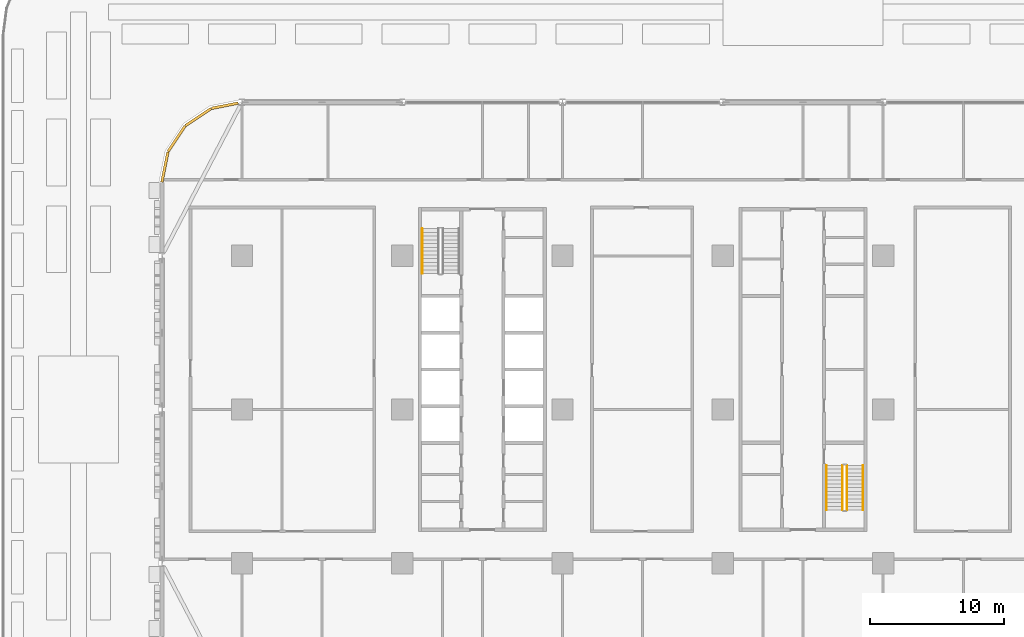
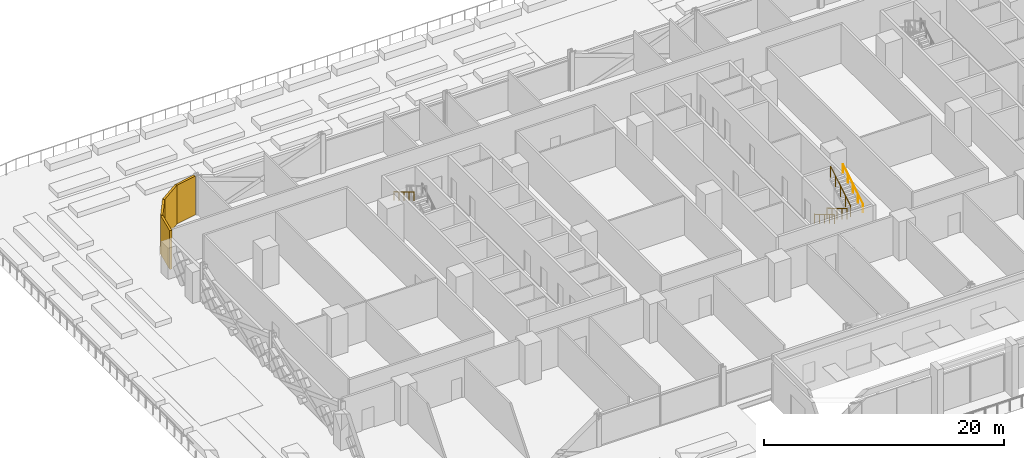
# One storey, part 31 of 39: 5 railings, 4 coverings.
"""IFC4 building model written with IfcOpenShell, lengths in metres."""

from ifc_helpers import new_model, si_unit, direction, frame, origin, origin_2d, place, context, subcontext, project, spatial, rectangle, circle, extrude, material, layer, layer_set, type_object, element, save


model = new_model("IFC4")

# Units and contexts
model_context = context("Model", 3, precision=1e-05, world=origin(), true_north=direction((0.0, 1.0)))
body_context = subcontext(model_context, "Body", "Model", "MODEL_VIEW")
ifc_project = project(units=[si_unit("LENGTHUNIT", "METRE"), si_unit("AREAUNIT", "SQUARE_METRE"), si_unit("VOLUMEUNIT", "CUBIC_METRE"), si_unit("PLANEANGLEUNIT", "RADIAN"), si_unit("MASSUNIT", "GRAM", prefix="KILO")], contexts=[model_context])

# Site, building, storey
site_placement = place(None, origin())
site = spatial("IfcSite", under=ifc_project, at=site_placement, CompositionType="ELEMENT")
building_placement = place(site_placement, origin())
building = spatial("IfcBuilding", under=site, at=building_placement, Name="Mahtab Terrace Research Tower", CompositionType="ELEMENT")
storey_placement = place(building_placement, frame((0.0, 0.0, 7.199951171875)))
storey = spatial("IfcBuildingStorey", under=building, at=storey_placement, Name="L01", CompositionType="ELEMENT", Elevation=7.199951171875)

# Coverings
ifc_material_1 = material(Name="Black aluminium cladding panel", Category="aluminium")
ifc_layer = layer(ifc_material_1, 0.199951171875)
ifc_layer_set = layer_set([ifc_layer], Name="Black metal corner cladding 200")
covering_type = type_object("IfcCoveringType", Name="Black metal corner cladding 200", PredefinedType="CLADDING", material=ifc_layer_set)
covering_placement = place(storey_placement, frame((-43.28173828125, 22.744873046875, 0.0), z_axis=(0.0, 0.0, 1.0), x_axis=(-0.980760981187, -0.195212442692, 0.0)))
element("IfcCovering", 1, at=covering_placement, inside=storey, type_object=covering_type, Name="Corner cladding L01 10", PredefinedType="CLADDING", context=body_context, shape_type="SweptSolid", body=[
    extrude(rectangle(XDim=2.0283203125, YDim=0.199951171875, at=origin_2d()), origin(), (0.0, 0.0, 1.0), 3.9599609375),
])
for number, where, z_axis, x_axis, name in (
    (2, (-45.26953125, 21.89306640625, 0.0), (0.0, 0.0, 1.0), (-0.831655794326, -0.555291490808, 0.0), "Corner cladding L01 11"),
    (3, (-46.89306640625, 20.26953125, 0.0), (0.0, 0.0, 1.0), (-0.555291490808, -0.831655794326, 0.0), "Corner cladding L01 12"),
    (4, (-47.771484375, 18.14794921875, 0.0), (0.0, 0.0, 1.0), (-0.195212442692, -0.980760981187, 0.0), "Corner cladding L01 13"),
):
    element("IfcCovering", number, at=place(storey_placement, frame(where, z_axis=z_axis, x_axis=x_axis)), inside=storey, type_object=covering_type, Name=name, PredefinedType="CLADDING", context=body_context, shape_type="SweptSolid", body=[
        extrude(rectangle(XDim=2.30126953125, YDim=0.199951171875, at=origin_2d()), origin(), (0.0, 0.0, 1.0), 3.9599609375),
    ])

# Railings
ifc_material_2 = material(Name="Stainless steel AISI 304", Category="steel")
railing_type_1 = type_object("IfcRailingType", Name="Stair guard 1100", PredefinedType="GUARDRAIL", material=ifc_material_2)
railing_1_placement = place(storey_placement, frame((2.949951171875, -4.175048828125, 0.16552734375)))
element("IfcRailing", 5, at=railing_1_placement, inside=storey, type_object=railing_type_1, Name="L01 ST2 stair guard 1", PredefinedType="GUARDRAIL", context=body_context, shape_type="SweptSolid", body=[
    extrude(circle(Radius=0.02392578125, at=origin_2d()), frame((0.0, 0.0, 1.076171875), z_axis=(0.0, -0.861011212953, 0.508585972249), x_axis=(1.0, 0.0, 0.0)), (0.0, 0.0, 1.0), 3.90234375),
    extrude(circle(Radius=0.02099609375, at=origin_2d()), origin(), (0.0, 0.0, 1.0), 1.052001953125),
    extrude(circle(Radius=0.02099609375, at=origin_2d()), frame((0.0, -0.83984375, 0.49609375)), (0.0, 0.0, 1.0), 1.052001953125),
    extrude(circle(Radius=0.02099609375, at=origin_2d()), frame((0.0, -1.679931640625, 0.9921875)), (0.0, 0.0, 1.0), 1.052001953125),
    extrude(circle(Radius=0.02099609375, at=origin_2d()), frame((0.0, -2.52001953125, 1.488525390625)), (0.0, 0.0, 1.0), 1.052001953125),
    extrude(circle(Radius=0.02099609375, at=origin_2d()), frame((0.0, -3.35986328125, 1.984619140625)), (0.0, 0.0, 1.0), 1.052001953125),
])
railing_2_placement = place(storey_placement, frame((3.300048828125, -7.534912109375, 2.3154296875)))
element("IfcRailing", 6, at=railing_2_placement, inside=storey, type_object=railing_type_1, Name="L01 ST2 stair guard 3", PredefinedType="GUARDRAIL", context=body_context, shape_type="SweptSolid", body=[
    extrude(circle(Radius=0.02392578125, at=origin_2d()), frame((0.0, 0.0, 1.076171875), z_axis=(0.0, 0.861011212953, 0.508585972249), x_axis=(-1.0, 0.0, 0.0)), (0.0, 0.0, 1.0), 3.90234375),
    extrude(circle(Radius=0.02099609375, at=origin_2d()), origin(), (0.0, 0.0, 1.0), 1.052001953125),
    extrude(circle(Radius=0.02099609375, at=origin_2d()), frame((0.0, 0.83984375, 0.49609375)), (0.0, 0.0, 1.0), 1.052001953125),
    extrude(circle(Radius=0.02099609375, at=origin_2d()), frame((0.0, 1.679931640625, 0.9921875)), (0.0, 0.0, 1.0), 1.052001953125),
    extrude(circle(Radius=0.02099609375, at=origin_2d()), frame((0.0, 2.52001953125, 1.488525390625)), (0.0, 0.0, 1.0), 1.052001953125),
    extrude(circle(Radius=0.02099609375, at=origin_2d()), frame((0.0, 3.35986328125, 1.984619140625)), (0.0, 0.0, 1.0), 1.052001953125),
])
railing_type_2 = type_object("IfcRailingType", Name="Stair handrail 900", PredefinedType="HANDRAIL", material=ifc_material_2)
for number, where, name in (
    (7, (-28.5, 13.534912109375, 2.3154296875), "L01 ST1 stair handrail 2"),
    (8, (1.75, -4.175048828125, 0.16552734375), "L01 ST2 stair handrail 1"),
):
    element("IfcRailing", number, at=place(storey_placement, frame(where)), inside=storey, type_object=railing_type_2, Name=name, PredefinedType="HANDRAIL", context=body_context, shape_type="SweptSolid", body=[
        extrude(circle(Radius=0.02392578125, at=origin_2d()), frame((0.0, 0.0, 0.8759765625), z_axis=(0.0, -0.861011212953, 0.508585972249), x_axis=(1.0, 0.0, 0.0)), (0.0, 0.0, 1.0), 3.90234375),
        extrude(circle(Radius=0.02099609375, at=origin_2d()), origin(), (0.0, 0.0, 1.0), 0.851806640625),
        extrude(circle(Radius=0.02099609375, at=origin_2d()), frame((0.0, -0.83984375, 0.49609375)), (0.0, 0.0, 1.0), 0.851806640625),
        extrude(circle(Radius=0.02099609375, at=origin_2d()), frame((0.0, -1.679931640625, 0.9921875)), (0.0, 0.0, 1.0), 0.851806640625),
        extrude(circle(Radius=0.02099609375, at=origin_2d()), frame((0.0, -2.52001953125, 1.488525390625)), (0.0, 0.0, 1.0), 0.851806640625),
        extrude(circle(Radius=0.02099609375, at=origin_2d()), frame((0.0, -3.35986328125, 1.984619140625)), (0.0, 0.0, 1.0), 0.851806640625),
    ])
railing_3_placement = place(storey_placement, frame((4.5, -7.534912109375, 2.3154296875)))
element("IfcRailing", 9, at=railing_3_placement, inside=storey, type_object=railing_type_2, Name="L01 ST2 stair handrail 2", PredefinedType="HANDRAIL", context=body_context, shape_type="SweptSolid", body=[
    extrude(circle(Radius=0.02392578125, at=origin_2d()), frame((0.0, 0.0, 0.8759765625), z_axis=(0.0, 0.861011212953, 0.508585972249), x_axis=(-1.0, 0.0, 0.0)), (0.0, 0.0, 1.0), 3.90234375),
    extrude(circle(Radius=0.02099609375, at=origin_2d()), origin(), (0.0, 0.0, 1.0), 0.851806640625),
    extrude(circle(Radius=0.02099609375, at=origin_2d()), frame((0.0, 0.83984375, 0.49609375)), (0.0, 0.0, 1.0), 0.851806640625),
    extrude(circle(Radius=0.02099609375, at=origin_2d()), frame((0.0, 1.679931640625, 0.9921875)), (0.0, 0.0, 1.0), 0.851806640625),
    extrude(circle(Radius=0.02099609375, at=origin_2d()), frame((0.0, 2.52001953125, 1.488525390625)), (0.0, 0.0, 1.0), 0.851806640625),
    extrude(circle(Radius=0.02099609375, at=origin_2d()), frame((0.0, 3.35986328125, 1.984619140625)), (0.0, 0.0, 1.0), 0.851806640625),
])

save(model, "model.ifc")
